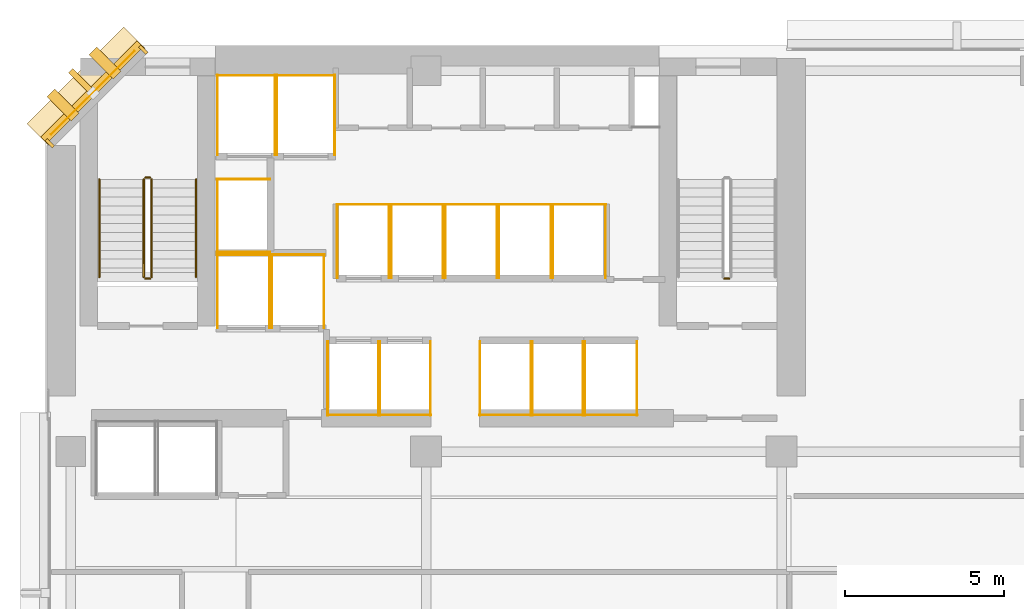
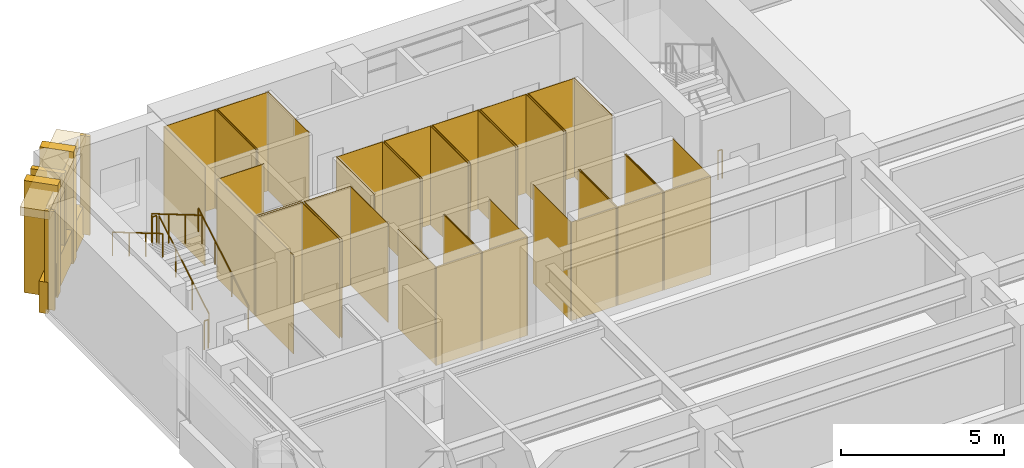
# One storey, part 12 of 14: 52 coverings, 7 railings, 1 shading device.
"""IFC4 building model written with IfcOpenShell, lengths in metres."""

from ifc_helpers import new_model, si_unit, direction, frame, origin, origin_2d, place, context, subcontext, project, spatial, polyline, rectangle, circle, outline, extrude, material, layer, layer_set, material_profile, profile_set, type_object, element, save


model = new_model("IFC4")

# Units and contexts
model_context = context("Model", 3, precision=1e-05, world=origin(), true_north=direction((0.0, 1.0)))
body_context = subcontext(model_context, "Body", "Model", "MODEL_VIEW")
ifc_project = project(units=[si_unit("LENGTHUNIT", "METRE"), si_unit("AREAUNIT", "SQUARE_METRE"), si_unit("VOLUMEUNIT", "CUBIC_METRE"), si_unit("PLANEANGLEUNIT", "RADIAN"), si_unit("MASSUNIT", "GRAM", prefix="KILO")], contexts=[model_context])

# Site, building, storey
site_placement = place(None, origin())
site = spatial("IfcSite", under=ifc_project, at=site_placement, CompositionType="ELEMENT")
building_placement = place(site_placement, origin())
building = spatial("IfcBuilding", under=site, at=building_placement, Name="Kefirva Bronze Tower", CompositionType="ELEMENT")
storey_placement = place(building_placement, frame((0.0, 0.0, 34.320068359375)))
storey = spatial("IfcBuildingStorey", under=building, at=storey_placement, Name="L07", CompositionType="ELEMENT", Elevation=34.320068359375)

# Coverings
ifc_material_1 = material(Name="Bronze anodised aluminium", Category="aluminium")
ifc_layer_1 = layer(ifc_material_1, 0.02001953125, Name="Bronze anodised aluminium")
ifc_layer_set_1 = layer_set([ifc_layer_1], Name="Bronze anodised aluminium")
covering_type_1 = type_object("IfcCoveringType", Name="Anodised Bronze Spandrel Cladding 20mm", PredefinedType="CLADDING", material=ifc_layer_set_1)
covering_1_placement = place(storey_placement, frame((1.492919921875, 44.507080078125, 3.2900390625), z_axis=(0.0, 0.0, 1.0), x_axis=(-0.707106781187, -0.707106781187, 0.0)))
element("IfcCovering", 1, at=covering_1_placement, inside=storey, type_object=covering_type_1, Name="L07 Bronze Spandrel Cladding 6", PredefinedType="CLADDING", context=body_context, shape_type="SweptSolid", body=[
    extrude(rectangle(XDim=3.719482421875, YDim=0.02001953125, at=origin_2d()), origin(), (0.0, 0.0, 1.0), 0.39990234375),
])
for number, where, z_axis, x_axis, name in (
    (2, (3.08837890625, 45.862060546875, 0.0), (0.0, 0.0, 1.0), (-0.707106781187, -0.707106781187, 0.0), "L07 Facade Joint Closure Panel 6S"),
    (3, (0.137939453125, 42.91162109375, 0.0), (0.0, 0.0, 1.0), (-0.707106781187, -0.707106781187, 0.0), "L07 Facade Joint Closure Panel 6E"),
):
    element("IfcCovering", number, at=place(storey_placement, frame(where, z_axis=z_axis, x_axis=x_axis)), inside=storey, type_object=covering_type_1, Name=name, PredefinedType="CLADDING", context=body_context, shape_type="SweptSolid", body=[
        extrude(rectangle(XDim=0.10009765625, YDim=0.320068359375, at=origin_2d()), origin(), (0.0, 0.0, 1.0), 3.7099609375),
    ])
covering_2_placement = place(storey_placement, frame((1.4716796875, 44.5283203125, -0.16015625), z_axis=(0.0, 0.0, 1.0), x_axis=(-0.707106781187, -0.707106781187, 0.0)))
element("IfcCovering", 4, at=covering_2_placement, inside=storey, type_object=covering_type_1, Name="L07 Streamline Horizontal Spandrel Band 9", PredefinedType="CLADDING", context=body_context, shape_type="SweptSolid", body=[
    extrude(rectangle(XDim=4.28271484375, YDim=0.280029296875, at=origin_2d()), origin(), (0.0, 0.0, 1.0), 1.179931640625),
])
covering_3_placement = place(storey_placement, origin())
element("IfcCovering", 5, at=covering_3_placement, inside=storey, type_object=covering_type_1, Name="L07 Lift FF1 Hoistway Liner N", PredefinedType="CLADDING", context=body_context, shape_type="SweptSolid", body=[
    extrude(outline(polyline([(5.39990234375, 39.389892578125), (7.080078125, 39.389892578125), (7.080078125, 39.409912109375), (5.39990234375, 39.409912109375), (5.39990234375, 39.389892578125)])), origin(), (0.0, 0.0, 1.0), 3.7099609375),
])
covering_4_placement = place(storey_placement, origin())
element("IfcCovering", 6, at=covering_4_placement, inside=storey, type_object=covering_type_1, Name="L07 Lift FF1 Hoistway Liner W", PredefinedType="CLADDING", context=body_context, shape_type="SweptSolid", body=[
    extrude(outline(polyline([(5.409912109375, 37.080078125), (5.429931640625, 37.080078125), (5.429931640625, 39.419921875), (5.409912109375, 39.419921875), (5.409912109375, 37.080078125)])), origin(), (0.0, 0.0, 1.0), 3.7099609375),
])
covering_5_placement = place(storey_placement, origin())
element("IfcCovering", 7, at=covering_5_placement, inside=storey, type_object=covering_type_1, Name="L07 Lift FF1 Hoistway Liner E", PredefinedType="CLADDING", context=body_context, shape_type="SweptSolid", body=[
    extrude(outline(polyline([(7.050048828125, 37.080078125), (7.070068359375, 37.080078125), (7.070068359375, 39.419921875), (7.050048828125, 39.419921875), (7.050048828125, 37.080078125)])), origin(), (0.0, 0.0, 1.0), 3.7099609375),
])
covering_6_placement = place(storey_placement, origin())
element("IfcCovering", 8, at=covering_6_placement, inside=storey, type_object=covering_type_1, Name="L07 Lift FF2 Hoistway Liner N", PredefinedType="CLADDING", context=body_context, shape_type="SweptSolid", body=[
    extrude(outline(polyline([(7.1201171875, 39.389892578125), (8.800048828125, 39.389892578125), (8.800048828125, 39.409912109375), (7.1201171875, 39.409912109375), (7.1201171875, 39.389892578125)])), origin(), (0.0, 0.0, 1.0), 3.7099609375),
])
covering_7_placement = place(storey_placement, origin())
element("IfcCovering", 9, at=covering_7_placement, inside=storey, type_object=covering_type_1, Name="L07 Lift FF2 Hoistway Liner W", PredefinedType="CLADDING", context=body_context, shape_type="SweptSolid", body=[
    extrude(outline(polyline([(7.1298828125, 37.080078125), (7.14990234375, 37.080078125), (7.14990234375, 39.419921875), (7.1298828125, 39.419921875), (7.1298828125, 37.080078125)])), origin(), (0.0, 0.0, 1.0), 3.7099609375),
])
covering_8_placement = place(storey_placement, origin())
element("IfcCovering", 10, at=covering_8_placement, inside=storey, type_object=covering_type_1, Name="L07 Lift FF2 Hoistway Liner E", PredefinedType="CLADDING", context=body_context, shape_type="SweptSolid", body=[
    extrude(outline(polyline([(8.77001953125, 37.080078125), (8.7900390625, 37.080078125), (8.7900390625, 39.419921875), (8.77001953125, 39.419921875), (8.77001953125, 37.080078125)])), origin(), (0.0, 0.0, 1.0), 3.7099609375),
])
covering_9_placement = place(storey_placement, origin())
element("IfcCovering", 11, at=covering_9_placement, inside=storey, type_object=covering_type_1, Name="L07 Lift SV1 Hoistway Liner N", PredefinedType="CLADDING", context=body_context, shape_type="SweptSolid", body=[
    extrude(outline(polyline([(5.39990234375, 45.0400390625), (7.260009765625, 45.0400390625), (7.260009765625, 45.06005859375), (5.39990234375, 45.06005859375), (5.39990234375, 45.0400390625)])), origin(), (0.0, 0.0, 1.0), 3.7099609375),
])
covering_10_placement = place(storey_placement, origin())
element("IfcCovering", 12, at=covering_10_placement, inside=storey, type_object=covering_type_1, Name="L07 Lift SV1 Hoistway Liner W", PredefinedType="CLADDING", context=body_context, shape_type="SweptSolid", body=[
    extrude(outline(polyline([(5.409912109375, 42.530029296875), (5.429931640625, 42.530029296875), (5.429931640625, 45.070068359375), (5.409912109375, 45.070068359375), (5.409912109375, 42.530029296875)])), origin(), (0.0, 0.0, 1.0), 3.7099609375),
])
covering_11_placement = place(storey_placement, origin())
element("IfcCovering", 13, at=covering_11_placement, inside=storey, type_object=covering_type_1, Name="L07 Lift SV1 Hoistway Liner E", PredefinedType="CLADDING", context=body_context, shape_type="SweptSolid", body=[
    extrude(outline(polyline([(7.22998046875, 42.530029296875), (7.25, 42.530029296875), (7.25, 45.070068359375), (7.22998046875, 45.070068359375), (7.22998046875, 42.530029296875)])), origin(), (0.0, 0.0, 1.0), 3.7099609375),
])
covering_12_placement = place(storey_placement, origin())
element("IfcCovering", 14, at=covering_12_placement, inside=storey, type_object=covering_type_1, Name="L07 Lift SV2 Hoistway Liner N", PredefinedType="CLADDING", context=body_context, shape_type="SweptSolid", body=[
    extrude(outline(polyline([(7.280029296875, 45.0400390625), (9.139892578125, 45.0400390625), (9.139892578125, 45.06005859375), (7.280029296875, 45.06005859375), (7.280029296875, 45.0400390625)])), origin(), (0.0, 0.0, 1.0), 3.7099609375),
])
covering_13_placement = place(storey_placement, origin())
element("IfcCovering", 15, at=covering_13_placement, inside=storey, type_object=covering_type_1, Name="L07 Lift SV2 Hoistway Liner W", PredefinedType="CLADDING", context=body_context, shape_type="SweptSolid", body=[
    extrude(outline(polyline([(7.2900390625, 42.530029296875), (7.31005859375, 42.530029296875), (7.31005859375, 45.070068359375), (7.2900390625, 45.070068359375), (7.2900390625, 42.530029296875)])), origin(), (0.0, 0.0, 1.0), 3.7099609375),
])
covering_14_placement = place(storey_placement, origin())
element("IfcCovering", 16, at=covering_14_placement, inside=storey, type_object=covering_type_1, Name="L07 Lift SV2 Hoistway Liner E", PredefinedType="CLADDING", context=body_context, shape_type="SweptSolid", body=[
    extrude(outline(polyline([(9.110107421875, 42.530029296875), (9.1298828125, 42.530029296875), (9.1298828125, 45.070068359375), (9.110107421875, 45.070068359375), (9.110107421875, 42.530029296875)])), origin(), (0.0, 0.0, 1.0), 3.7099609375),
])
covering_15_placement = place(storey_placement, origin())
element("IfcCovering", 17, at=covering_15_placement, inside=storey, type_object=covering_type_1, Name="L07 Lift LP1 Hoistway Liner S", PredefinedType="CLADDING", context=body_context, shape_type="SweptSolid", body=[
    extrude(outline(polyline([(8.8798828125, 34.340087890625), (10.52001953125, 34.340087890625), (10.52001953125, 34.360107421875), (8.8798828125, 34.360107421875), (8.8798828125, 34.340087890625)])), origin(), (0.0, 0.0, 1.0), 3.7099609375),
])
covering_16_placement = place(storey_placement, origin())
element("IfcCovering", 18, at=covering_16_placement, inside=storey, type_object=covering_type_1, Name="L07 Lift LP1 Hoistway Liner W", PredefinedType="CLADDING", context=body_context, shape_type="SweptSolid", body=[
    extrude(outline(polyline([(8.889892578125, 34.330078125), (8.909912109375, 34.330078125), (8.909912109375, 36.669921875), (8.889892578125, 36.669921875), (8.889892578125, 34.330078125)])), origin(), (0.0, 0.0, 1.0), 3.7099609375),
])
covering_17_placement = place(storey_placement, origin())
element("IfcCovering", 19, at=covering_17_placement, inside=storey, type_object=covering_type_1, Name="L07 Lift LP1 Hoistway Liner E", PredefinedType="CLADDING", context=body_context, shape_type="SweptSolid", body=[
    extrude(outline(polyline([(10.489990234375, 34.330078125), (10.510009765625, 34.330078125), (10.510009765625, 36.669921875), (10.489990234375, 36.669921875), (10.489990234375, 34.330078125)])), origin(), (0.0, 0.0, 1.0), 3.7099609375),
])
covering_18_placement = place(storey_placement, origin())
element("IfcCovering", 20, at=covering_18_placement, inside=storey, type_object=covering_type_1, Name="L07 Lift LP2 Hoistway Liner S", PredefinedType="CLADDING", context=body_context, shape_type="SweptSolid", body=[
    extrude(outline(polyline([(10.52001953125, 34.340087890625), (12.159912109375, 34.340087890625), (12.159912109375, 34.360107421875), (10.52001953125, 34.360107421875), (10.52001953125, 34.340087890625)])), origin(), (0.0, 0.0, 1.0), 3.7099609375),
])
covering_19_placement = place(storey_placement, origin())
element("IfcCovering", 21, at=covering_19_placement, inside=storey, type_object=covering_type_1, Name="L07 Lift LP2 Hoistway Liner W", PredefinedType="CLADDING", context=body_context, shape_type="SweptSolid", body=[
    extrude(outline(polyline([(10.530029296875, 34.330078125), (10.550048828125, 34.330078125), (10.550048828125, 36.669921875), (10.530029296875, 36.669921875), (10.530029296875, 34.330078125)])), origin(), (0.0, 0.0, 1.0), 3.7099609375),
])
covering_20_placement = place(storey_placement, origin())
element("IfcCovering", 22, at=covering_20_placement, inside=storey, type_object=covering_type_1, Name="L07 Lift LP2 Hoistway Liner E", PredefinedType="CLADDING", context=body_context, shape_type="SweptSolid", body=[
    extrude(outline(polyline([(12.1298828125, 34.330078125), (12.14990234375, 34.330078125), (12.14990234375, 36.669921875), (12.1298828125, 36.669921875), (12.1298828125, 34.330078125)])), origin(), (0.0, 0.0, 1.0), 3.7099609375),
])
covering_21_placement = place(storey_placement, origin())
element("IfcCovering", 23, at=covering_21_placement, inside=storey, type_object=covering_type_1, Name="L07 Lift LP3 Hoistway Liner N", PredefinedType="CLADDING", context=body_context, shape_type="SweptSolid", body=[
    extrude(outline(polyline([(9.179931640625, 40.969970703125), (10.85009765625, 40.969970703125), (10.85009765625, 40.989990234375), (9.179931640625, 40.989990234375), (9.179931640625, 40.969970703125)])), origin(), (0.0, 0.0, 1.0), 3.7099609375),
])
covering_22_placement = place(storey_placement, origin())
element("IfcCovering", 24, at=covering_22_placement, inside=storey, type_object=covering_type_1, Name="L07 Lift LP3 Hoistway Liner W", PredefinedType="CLADDING", context=body_context, shape_type="SweptSolid", body=[
    extrude(outline(polyline([(9.18994140625, 38.659912109375), (9.2099609375, 38.659912109375), (9.2099609375, 41.0), (9.18994140625, 41.0), (9.18994140625, 38.659912109375)])), origin(), (0.0, 0.0, 1.0), 3.7099609375),
])
covering_23_placement = place(storey_placement, origin())
element("IfcCovering", 25, at=covering_23_placement, inside=storey, type_object=covering_type_1, Name="L07 Lift LP3 Hoistway Liner E", PredefinedType="CLADDING", context=body_context, shape_type="SweptSolid", body=[
    extrude(outline(polyline([(10.820068359375, 38.659912109375), (10.840087890625, 38.659912109375), (10.840087890625, 41.0), (10.820068359375, 41.0), (10.820068359375, 38.659912109375)])), origin(), (0.0, 0.0, 1.0), 3.7099609375),
])
covering_24_placement = place(storey_placement, origin())
element("IfcCovering", 26, at=covering_24_placement, inside=storey, type_object=covering_type_1, Name="L07 Lift LP4 Hoistway Liner N", PredefinedType="CLADDING", context=body_context, shape_type="SweptSolid", body=[
    extrude(outline(polyline([(10.8798828125, 40.969970703125), (12.550048828125, 40.969970703125), (12.550048828125, 40.989990234375), (10.8798828125, 40.989990234375), (10.8798828125, 40.969970703125)])), origin(), (0.0, 0.0, 1.0), 3.7099609375),
])
covering_25_placement = place(storey_placement, origin())
element("IfcCovering", 27, at=covering_25_placement, inside=storey, type_object=covering_type_1, Name="L07 Lift LP4 Hoistway Liner W", PredefinedType="CLADDING", context=body_context, shape_type="SweptSolid", body=[
    extrude(outline(polyline([(10.889892578125, 38.659912109375), (10.909912109375, 38.659912109375), (10.909912109375, 41.0), (10.889892578125, 41.0), (10.889892578125, 38.659912109375)])), origin(), (0.0, 0.0, 1.0), 3.7099609375),
])
covering_26_placement = place(storey_placement, origin())
element("IfcCovering", 28, at=covering_26_placement, inside=storey, type_object=covering_type_1, Name="L07 Lift LP4 Hoistway Liner E", PredefinedType="CLADDING", context=body_context, shape_type="SweptSolid", body=[
    extrude(outline(polyline([(12.52001953125, 38.659912109375), (12.5400390625, 38.659912109375), (12.5400390625, 41.0), (12.52001953125, 41.0), (12.52001953125, 38.659912109375)])), origin(), (0.0, 0.0, 1.0), 3.7099609375),
])
covering_27_placement = place(storey_placement, origin())
element("IfcCovering", 29, at=covering_27_placement, inside=storey, type_object=covering_type_1, Name="L07 Lift MP1 Hoistway Liner S", PredefinedType="CLADDING", context=body_context, shape_type="SweptSolid", body=[
    extrude(outline(polyline([(13.679931640625, 34.340087890625), (15.320068359375, 34.340087890625), (15.320068359375, 34.360107421875), (13.679931640625, 34.360107421875), (13.679931640625, 34.340087890625)])), origin(), (0.0, 0.0, 1.0), 3.7099609375),
])
covering_28_placement = place(storey_placement, origin())
element("IfcCovering", 30, at=covering_28_placement, inside=storey, type_object=covering_type_1, Name="L07 Lift MP1 Hoistway Liner W", PredefinedType="CLADDING", context=body_context, shape_type="SweptSolid", body=[
    extrude(outline(polyline([(13.68994140625, 34.330078125), (13.7099609375, 34.330078125), (13.7099609375, 36.669921875), (13.68994140625, 36.669921875), (13.68994140625, 34.330078125)])), origin(), (0.0, 0.0, 1.0), 3.7099609375),
])
covering_29_placement = place(storey_placement, origin())
element("IfcCovering", 31, at=covering_29_placement, inside=storey, type_object=covering_type_1, Name="L07 Lift MP1 Hoistway Liner E", PredefinedType="CLADDING", context=body_context, shape_type="SweptSolid", body=[
    extrude(outline(polyline([(15.2900390625, 34.330078125), (15.31005859375, 34.330078125), (15.31005859375, 36.669921875), (15.2900390625, 36.669921875), (15.2900390625, 34.330078125)])), origin(), (0.0, 0.0, 1.0), 3.7099609375),
])
covering_30_placement = place(storey_placement, origin())
element("IfcCovering", 32, at=covering_30_placement, inside=storey, type_object=covering_type_1, Name="L07 Lift MP2 Hoistway Liner S", PredefinedType="CLADDING", context=body_context, shape_type="SweptSolid", body=[
    extrude(outline(polyline([(15.330078125, 34.340087890625), (16.969970703125, 34.340087890625), (16.969970703125, 34.360107421875), (15.330078125, 34.360107421875), (15.330078125, 34.340087890625)])), origin(), (0.0, 0.0, 1.0), 3.7099609375),
])
covering_31_placement = place(storey_placement, origin())
element("IfcCovering", 33, at=covering_31_placement, inside=storey, type_object=covering_type_1, Name="L07 Lift MP2 Hoistway Liner W", PredefinedType="CLADDING", context=body_context, shape_type="SweptSolid", body=[
    extrude(outline(polyline([(15.340087890625, 34.330078125), (15.360107421875, 34.330078125), (15.360107421875, 36.669921875), (15.340087890625, 36.669921875), (15.340087890625, 34.330078125)])), origin(), (0.0, 0.0, 1.0), 3.7099609375),
])
covering_32_placement = place(storey_placement, origin())
element("IfcCovering", 34, at=covering_32_placement, inside=storey, type_object=covering_type_1, Name="L07 Lift MP2 Hoistway Liner E", PredefinedType="CLADDING", context=body_context, shape_type="SweptSolid", body=[
    extrude(outline(polyline([(16.93994140625, 34.330078125), (16.9599609375, 34.330078125), (16.9599609375, 36.669921875), (16.93994140625, 36.669921875), (16.93994140625, 34.330078125)])), origin(), (0.0, 0.0, 1.0), 3.7099609375),
])
covering_33_placement = place(storey_placement, origin())
element("IfcCovering", 35, at=covering_33_placement, inside=storey, type_object=covering_type_1, Name="L07 Lift MP3 Hoistway Liner N", PredefinedType="CLADDING", context=body_context, shape_type="SweptSolid", body=[
    extrude(outline(polyline([(12.580078125, 40.969970703125), (14.25, 40.969970703125), (14.25, 40.989990234375), (12.580078125, 40.989990234375), (12.580078125, 40.969970703125)])), origin(), (0.0, 0.0, 1.0), 3.7099609375),
])
covering_34_placement = place(storey_placement, origin())
element("IfcCovering", 36, at=covering_34_placement, inside=storey, type_object=covering_type_1, Name="L07 Lift MP3 Hoistway Liner W", PredefinedType="CLADDING", context=body_context, shape_type="SweptSolid", body=[
    extrude(outline(polyline([(12.590087890625, 38.659912109375), (12.610107421875, 38.659912109375), (12.610107421875, 41.0), (12.590087890625, 41.0), (12.590087890625, 38.659912109375)])), origin(), (0.0, 0.0, 1.0), 3.7099609375),
])
covering_35_placement = place(storey_placement, origin())
element("IfcCovering", 37, at=covering_35_placement, inside=storey, type_object=covering_type_1, Name="L07 Lift MP3 Hoistway Liner E", PredefinedType="CLADDING", context=body_context, shape_type="SweptSolid", body=[
    extrude(outline(polyline([(14.219970703125, 38.659912109375), (14.239990234375, 38.659912109375), (14.239990234375, 41.0), (14.219970703125, 41.0), (14.219970703125, 38.659912109375)])), origin(), (0.0, 0.0, 1.0), 3.7099609375),
])
covering_36_placement = place(storey_placement, origin())
element("IfcCovering", 38, at=covering_36_placement, inside=storey, type_object=covering_type_1, Name="L07 Lift MP4 Hoistway Liner N", PredefinedType="CLADDING", context=body_context, shape_type="SweptSolid", body=[
    extrude(outline(polyline([(14.280029296875, 40.969970703125), (15.949951171875, 40.969970703125), (15.949951171875, 40.989990234375), (14.280029296875, 40.989990234375), (14.280029296875, 40.969970703125)])), origin(), (0.0, 0.0, 1.0), 3.7099609375),
])
covering_37_placement = place(storey_placement, origin())
element("IfcCovering", 39, at=covering_37_placement, inside=storey, type_object=covering_type_1, Name="L07 Lift MP4 Hoistway Liner W", PredefinedType="CLADDING", context=body_context, shape_type="SweptSolid", body=[
    extrude(outline(polyline([(14.2900390625, 38.659912109375), (14.31005859375, 38.659912109375), (14.31005859375, 41.0), (14.2900390625, 41.0), (14.2900390625, 38.659912109375)])), origin(), (0.0, 0.0, 1.0), 3.7099609375),
])
covering_38_placement = place(storey_placement, origin())
element("IfcCovering", 40, at=covering_38_placement, inside=storey, type_object=covering_type_1, Name="L07 Lift MP4 Hoistway Liner E", PredefinedType="CLADDING", context=body_context, shape_type="SweptSolid", body=[
    extrude(outline(polyline([(15.919921875, 38.659912109375), (15.93994140625, 38.659912109375), (15.93994140625, 41.0), (15.919921875, 41.0), (15.919921875, 38.659912109375)])), origin(), (0.0, 0.0, 1.0), 3.7099609375),
])
covering_39_placement = place(storey_placement, origin())
element("IfcCovering", 41, at=covering_39_placement, inside=storey, type_object=covering_type_1, Name="L07 Lift HP1 Hoistway Liner S", PredefinedType="CLADDING", context=body_context, shape_type="SweptSolid", body=[
    extrude(outline(polyline([(16.97998046875, 34.340087890625), (18.669921875, 34.340087890625), (18.669921875, 34.360107421875), (16.97998046875, 34.360107421875), (16.97998046875, 34.340087890625)])), origin(), (0.0, 0.0, 1.0), 3.7099609375),
])
covering_40_placement = place(storey_placement, origin())
element("IfcCovering", 42, at=covering_40_placement, inside=storey, type_object=covering_type_1, Name="L07 Lift HP1 Hoistway Liner W", PredefinedType="CLADDING", context=body_context, shape_type="SweptSolid", body=[
    extrude(outline(polyline([(16.989990234375, 34.330078125), (17.010009765625, 34.330078125), (17.010009765625, 36.669921875), (16.989990234375, 36.669921875), (16.989990234375, 34.330078125)])), origin(), (0.0, 0.0, 1.0), 3.7099609375),
])
covering_41_placement = place(storey_placement, origin())
element("IfcCovering", 43, at=covering_41_placement, inside=storey, type_object=covering_type_1, Name="L07 Lift HP1 Hoistway Liner E", PredefinedType="CLADDING", context=body_context, shape_type="SweptSolid", body=[
    extrude(outline(polyline([(18.639892578125, 34.330078125), (18.659912109375, 34.330078125), (18.659912109375, 36.669921875), (18.639892578125, 36.669921875), (18.639892578125, 34.330078125)])), origin(), (0.0, 0.0, 1.0), 3.7099609375),
])
covering_42_placement = place(storey_placement, origin())
element("IfcCovering", 44, at=covering_42_placement, inside=storey, type_object=covering_type_1, Name="L07 Lift HP2 Hoistway Liner N", PredefinedType="CLADDING", context=body_context, shape_type="SweptSolid", body=[
    extrude(outline(polyline([(15.97998046875, 40.969970703125), (17.669921875, 40.969970703125), (17.669921875, 40.989990234375), (15.97998046875, 40.989990234375), (15.97998046875, 40.969970703125)])), origin(), (0.0, 0.0, 1.0), 3.7099609375),
])
covering_43_placement = place(storey_placement, origin())
element("IfcCovering", 45, at=covering_43_placement, inside=storey, type_object=covering_type_1, Name="L07 Lift HP2 Hoistway Liner W", PredefinedType="CLADDING", context=body_context, shape_type="SweptSolid", body=[
    extrude(outline(polyline([(15.989990234375, 38.659912109375), (16.010009765625, 38.659912109375), (16.010009765625, 41.0), (15.989990234375, 41.0), (15.989990234375, 38.659912109375)])), origin(), (0.0, 0.0, 1.0), 3.7099609375),
])
covering_44_placement = place(storey_placement, origin())
element("IfcCovering", 46, at=covering_44_placement, inside=storey, type_object=covering_type_1, Name="L07 Lift HP2 Hoistway Liner E", PredefinedType="CLADDING", context=body_context, shape_type="SweptSolid", body=[
    extrude(outline(polyline([(17.639892578125, 38.659912109375), (17.659912109375, 38.659912109375), (17.659912109375, 41.0), (17.639892578125, 41.0), (17.639892578125, 38.659912109375)])), origin(), (0.0, 0.0, 1.0), 3.7099609375),
])
covering_45_placement = place(storey_placement, origin())
element("IfcCovering", 47, at=covering_45_placement, inside=storey, type_object=covering_type_1, Name="L07 Lift HP3 Hoistway Liner N", PredefinedType="CLADDING", context=body_context, shape_type="SweptSolid", body=[
    extrude(outline(polyline([(5.39990234375, 41.77001953125), (7.080078125, 41.77001953125), (7.080078125, 41.7900390625), (5.39990234375, 41.7900390625), (5.39990234375, 41.77001953125)])), origin(), (0.0, 0.0, 1.0), 3.7099609375),
])
covering_46_placement = place(storey_placement, origin())
element("IfcCovering", 48, at=covering_46_placement, inside=storey, type_object=covering_type_1, Name="L07 Lift HP3 Hoistway Liner S", PredefinedType="CLADDING", context=body_context, shape_type="SweptSolid", body=[
    extrude(outline(polyline([(5.39990234375, 39.469970703125), (7.080078125, 39.469970703125), (7.080078125, 39.489990234375), (5.39990234375, 39.489990234375), (5.39990234375, 39.469970703125)])), origin(), (0.0, 0.0, 1.0), 3.7099609375),
])
covering_47_placement = place(storey_placement, origin())
element("IfcCovering", 49, at=covering_47_placement, inside=storey, type_object=covering_type_1, Name="L07 Lift HP3 Hoistway Liner W", PredefinedType="CLADDING", context=body_context, shape_type="SweptSolid", body=[
    extrude(outline(polyline([(5.409912109375, 39.4599609375), (5.429931640625, 39.4599609375), (5.429931640625, 41.800048828125), (5.409912109375, 41.800048828125), (5.409912109375, 39.4599609375)])), origin(), (0.0, 0.0, 1.0), 3.7099609375),
])

# Shading device
ifc_material_profile = material_profile(ifc_material_1, rectangle(XDim=0.179931640625, YDim=1.080078125, at=origin_2d()), Name="BRONZE BUTTRESS FIN 180x1080")
ifc_profile_set = profile_set([ifc_material_profile], Name="Bronze anodised aluminium")
shading_device_type = type_object("IfcShadingDeviceType", Name="Chamfered Corner Buttress Bronze Fin 1080mm", PredefinedType="USERDEFINED", material=ifc_profile_set)
shading_device_placement = place(storey_placement, frame((1.1748046875, 44.8251953125, -0.14013671875), z_axis=(0.0, 0.0, 1.0), x_axis=(-0.707106781187, -0.707106781187, 0.0)))
element("IfcShadingDevice", 50, at=shading_device_placement, inside=storey, type_object=shading_device_type, Name="L07 Chamfered Corner Buttress Fin 24", ObjectType="VERTICAL FIN", PredefinedType="USERDEFINED", context=body_context, shape_type="SweptSolid", body=[
    extrude(rectangle(XDim=0.179931640625, YDim=1.080078125, at=origin_2d()), origin(), (0.0, 0.0, 1.0), 3.85009765625),
])

# Railings
ifc_material_2 = material(Name="Stainless steel 316", Category="steel")
railing_type_1 = type_object("IfcRailingType", Name="Interior Stair Guardrail 1100mm", PredefinedType="GUARDRAIL", material=ifc_material_2)
railing_1_placement = place(storey_placement, frame((3.35009765625, 38.699951171875, 0.1650390625)))
element("IfcRailing", 51, at=railing_1_placement, inside=storey, type_object=railing_type_1, Name="L07 ST-1 stair guard 1", PredefinedType="GUARDRAIL", context=body_context, shape_type="SweptSolid", body=[
    extrude(circle(Radius=0.02392578125, at=origin_2d()), frame((0.0, 0.0, 1.076171875), z_axis=(0.0, 0.861551262678, 0.507670583921), x_axis=(-1.0, 0.0, 0.0)), (0.0, 0.0, 1.0), 3.574951171875),
    extrude(circle(Radius=0.02099609375, at=origin_2d()), origin(), (0.0, 0.0, 1.0), 1.052001953125),
    extrude(circle(Radius=0.02099609375, at=origin_2d()), frame((0.0, 1.026611328125, 0.60498046875)), (0.0, 0.0, 1.0), 1.052001953125),
    extrude(circle(Radius=0.02099609375, at=origin_2d()), frame((0.0, 2.053466796875, 1.2099609375)), (0.0, 0.0, 1.0), 1.052001953125),
    extrude(circle(Radius=0.02099609375, at=origin_2d()), frame((0.0, 3.080078125, 1.81494140625)), (0.0, 0.0, 1.0), 1.052001953125),
])
railing_2_placement = place(storey_placement, frame((3.300048828125, 41.830078125, 1.97998046875)))
element("IfcRailing", 52, at=railing_2_placement, inside=storey, type_object=railing_type_1, Name="L07 ST-1 stair guard 2", PredefinedType="GUARDRAIL", context=body_context, shape_type="SweptSolid", body=[
    extrude(circle(Radius=0.02392578125, at=origin_2d()), frame((0.0, 0.0, 1.076171875), z_axis=(-1.0, 0.0, 0.0), x_axis=(0.0, -1.0, 0.0)), (0.0, 0.0, 1.0), 0.150146484375),
    extrude(circle(Radius=0.02099609375, at=origin_2d()), origin(), (0.0, 0.0, 1.0), 1.052001953125),
    extrude(circle(Radius=0.02099609375, at=origin_2d()), frame((-0.150146484375, 0.0, 0.0)), (0.0, 0.0, 1.0), 1.052001953125),
])
railing_3_placement = place(storey_placement, frame((3.10009765625, 41.780029296875, 2.14501953125)))
element("IfcRailing", 53, at=railing_3_placement, inside=storey, type_object=railing_type_1, Name="L07 ST-1 stair guard 3", PredefinedType="GUARDRAIL", context=body_context, shape_type="SweptSolid", body=[
    extrude(circle(Radius=0.02392578125, at=origin_2d()), frame((0.0, 0.0, 1.076171875), z_axis=(0.0, -0.861551262678, 0.507670583921), x_axis=(1.0, 0.0, 0.0)), (0.0, 0.0, 1.0), 3.574951171875),
    extrude(circle(Radius=0.02099609375, at=origin_2d()), origin(), (0.0, 0.0, 1.0), 1.052001953125),
    extrude(circle(Radius=0.02099609375, at=origin_2d()), frame((0.0, -1.026611328125, 0.60498046875)), (0.0, 0.0, 1.0), 1.052001953125),
    extrude(circle(Radius=0.02099609375, at=origin_2d()), frame((0.0, -2.053466796875, 1.2099609375)), (0.0, 0.0, 1.0), 1.052001953125),
    extrude(circle(Radius=0.02099609375, at=origin_2d()), frame((0.0, -3.080078125, 1.81494140625)), (0.0, 0.0, 1.0), 1.052001953125),
])
for number, where, name in (
    (54, (3.300048828125, 38.64990234375, 0.0), "L07 ST-1 stair guard 4"),
    (55, (21.550048828125, 38.64990234375, 0.0), "L07 ST-2 stair guard 4"),
):
    element("IfcRailing", number, at=place(storey_placement, frame(where)), inside=storey, type_object=railing_type_1, Name=name, PredefinedType="GUARDRAIL", context=body_context, shape_type="SweptSolid", body=[
        extrude(circle(Radius=0.02392578125, at=origin_2d()), frame((0.0, 0.0, 1.076171875), z_axis=(-1.0, 0.0, 0.0), x_axis=(0.0, -1.0, 0.0)), (0.0, 0.0, 1.0), 0.150146484375),
        extrude(circle(Radius=0.02099609375, at=origin_2d()), origin(), (0.0, 0.0, 1.0), 1.052001953125),
        extrude(circle(Radius=0.02099609375, at=origin_2d()), frame((-0.150146484375, 0.0, 0.0)), (0.0, 0.0, 1.0), 1.052001953125),
    ])
railing_type_2 = type_object("IfcRailingType", Name="Stair Pitch Handrail 900mm", PredefinedType="HANDRAIL", material=ifc_material_2)
railing_4_placement = place(storey_placement, frame((4.75, 38.699951171875, 0.1650390625)))
element("IfcRailing", 56, at=railing_4_placement, inside=storey, type_object=railing_type_2, Name="L07 ST-1 stair handrail 1", PredefinedType="HANDRAIL", context=body_context, shape_type="SweptSolid", body=[
    extrude(circle(Radius=0.02392578125, at=origin_2d()), frame((0.0, 0.0, 0.8759765625), z_axis=(0.0, 0.861551262678, 0.507670583921), x_axis=(-1.0, 0.0, 0.0)), (0.0, 0.0, 1.0), 3.574951171875),
    extrude(circle(Radius=0.02099609375, at=origin_2d()), origin(), (0.0, 0.0, 1.0), 0.851806640625),
    extrude(circle(Radius=0.02099609375, at=origin_2d()), frame((0.0, 1.026611328125, 0.60498046875)), (0.0, 0.0, 1.0), 0.851806640625),
    extrude(circle(Radius=0.02099609375, at=origin_2d()), frame((0.0, 2.053466796875, 1.2099609375)), (0.0, 0.0, 1.0), 0.851806640625),
    extrude(circle(Radius=0.02099609375, at=origin_2d()), frame((0.0, 3.080078125, 1.81494140625)), (0.0, 0.0, 1.0), 0.851806640625),
])
railing_5_placement = place(storey_placement, frame((1.699951171875, 41.780029296875, 2.14501953125)))
element("IfcRailing", 57, at=railing_5_placement, inside=storey, type_object=railing_type_2, Name="L07 ST-1 stair handrail 2", PredefinedType="HANDRAIL", context=body_context, shape_type="SweptSolid", body=[
    extrude(circle(Radius=0.02392578125, at=origin_2d()), frame((0.0, 0.0, 0.8759765625), z_axis=(0.0, -0.861551262678, 0.507670583921), x_axis=(1.0, 0.0, 0.0)), (0.0, 0.0, 1.0), 3.574951171875),
    extrude(circle(Radius=0.02099609375, at=origin_2d()), origin(), (0.0, 0.0, 1.0), 0.851806640625),
    extrude(circle(Radius=0.02099609375, at=origin_2d()), frame((0.0, -1.026611328125, 0.60498046875)), (0.0, 0.0, 1.0), 0.851806640625),
    extrude(circle(Radius=0.02099609375, at=origin_2d()), frame((0.0, -2.053466796875, 1.2099609375)), (0.0, 0.0, 1.0), 0.851806640625),
    extrude(circle(Radius=0.02099609375, at=origin_2d()), frame((0.0, -3.080078125, 1.81494140625)), (0.0, 0.0, 1.0), 0.851806640625),
])

# Coverings
ifc_layer_2 = layer(ifc_material_1, 0.179931640625, Name="Bronze anodised aluminium")
ifc_layer_set_2 = layer_set([ifc_layer_2], Name="Bronze anodised aluminium")
covering_type_2 = type_object("IfcCoveringType", Name="Streamline Bronze Sunshade Eyebrow Cladding 180mm", PredefinedType="CLADDING", material=ifc_layer_set_2)
covering_48_placement = place(storey_placement, frame((1.28076171875, 44.71923828125, 3.39013671875), z_axis=(0.0, 0.0, 1.0), x_axis=(-0.707106781187, -0.707106781187, 0.0)))
element("IfcCovering", 58, at=covering_48_placement, inside=storey, type_object=covering_type_2, Name="L07 Streamline Bronze Sunshade Eyebrow 9", PredefinedType="CLADDING", context=body_context, shape_type="SweptSolid", body=[
    extrude(rectangle(XDim=4.322509765625, YDim=0.93994140625, at=origin_2d()), origin(), (0.0, 0.0, 1.0), 0.320068359375),
])
ifc_layer_3 = layer(ifc_material_1, 0.260009765625, Name="Bronze anodised aluminium")
ifc_layer_set_3 = layer_set([ifc_layer_3], Name="Bronze anodised aluminium")
covering_type_3 = type_object("IfcCoveringType", Name="Unbroken Bronze Buttress Fin Cladding 260mm", PredefinedType="CLADDING", material=ifc_layer_set_3)
for number, where, z_axis, x_axis, name in (
    (59, (1.877197265625, 45.44287109375, -0.25), (0.0, 0.0, 1.0), (-0.707106781187, -0.707106781187, 0.0), "L07 Chamfered Corner Buttress Fin Cladding 23"),
    (60, (0.55712890625, 44.122802734375, -0.25), (0.0, 0.0, 1.0), (-0.707106781187, -0.707106781187, 0.0), "L07 Chamfered Corner Buttress Fin Cladding 24"),
):
    element("IfcCovering", number, at=place(storey_placement, frame(where, z_axis=z_axis, x_axis=x_axis)), inside=storey, type_object=covering_type_3, Name=name, PredefinedType="CLADDING", context=body_context, shape_type="SweptSolid", body=[
        extrude(rectangle(XDim=0.340087890625, YDim=1.080078125, at=origin_2d()), origin(), (0.0, 0.0, 1.0), 4.2099609375),
    ])

save(model, "model.ifc")
